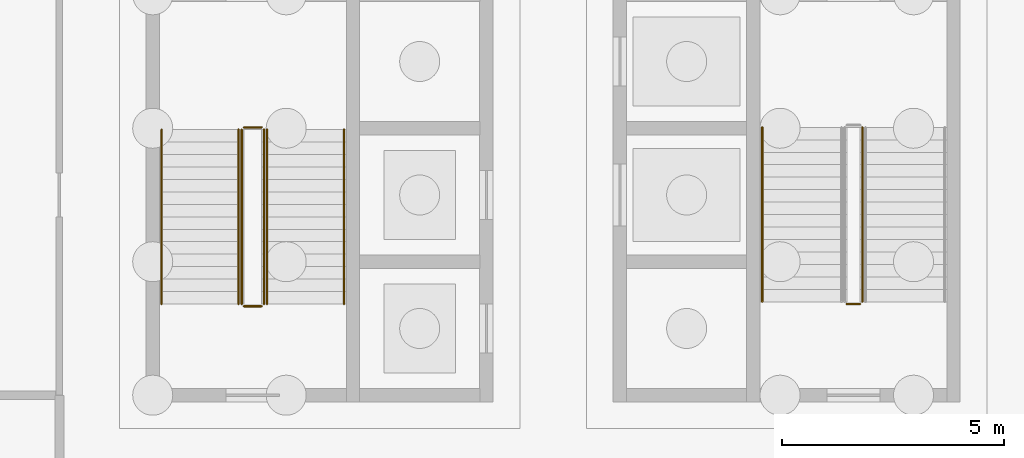
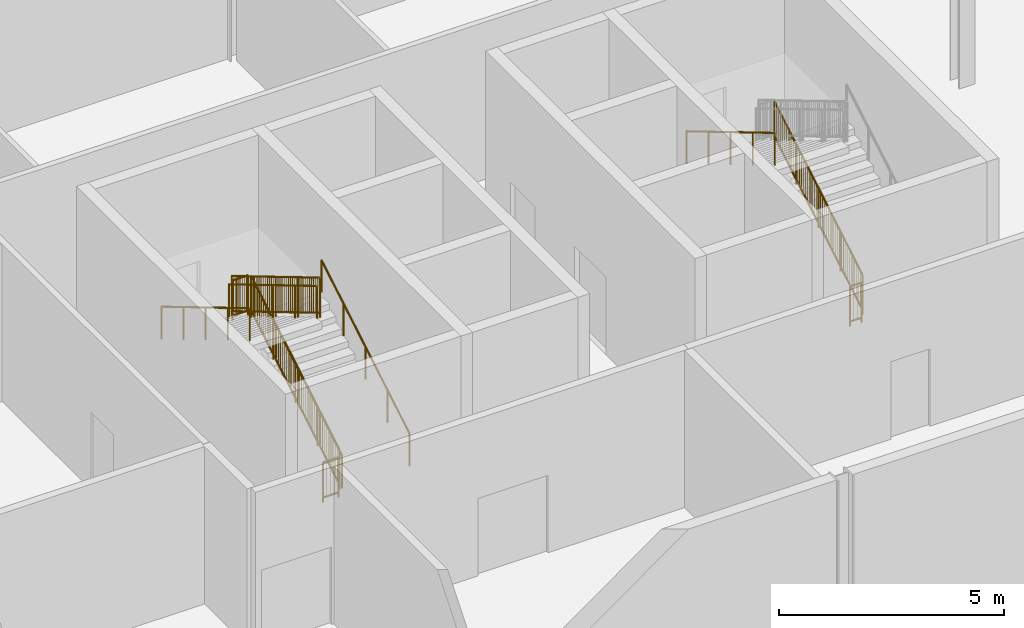
# One storey, part 21 of 25: 11 railings.
"""IFC4 building model written with IfcOpenShell, lengths in metres."""

from ifc_helpers import new_model, si_unit, direction, frame, origin, origin_2d, place, context, subcontext, project, spatial, circle, extrude, material, type_object, element, save


model = new_model("IFC4")

# Units and contexts
model_context = context("Model", 3, precision=1e-05, world=origin(), true_north=direction((0.0, 1.0)))
body_context = subcontext(model_context, "Body", "Model", "MODEL_VIEW")
ifc_project = project(units=[si_unit("LENGTHUNIT", "METRE"), si_unit("AREAUNIT", "SQUARE_METRE"), si_unit("VOLUMEUNIT", "CUBIC_METRE"), si_unit("PLANEANGLEUNIT", "RADIAN"), si_unit("MASSUNIT", "GRAM", prefix="KILO")], contexts=[model_context])

# Site, building, storey
site_placement = place(None, origin())
site = spatial("IfcSite", under=ifc_project, at=site_placement, CompositionType="ELEMENT")
building_placement = place(site_placement, origin())
building = spatial("IfcBuilding", under=site, at=building_placement, Name="Hortulan Conservatory and Botanical Research Centre", CompositionType="ELEMENT")
storey_placement = place(building_placement, frame((0.0, 0.0, -5.0)))
storey = spatial("IfcBuildingStorey", under=building, at=storey_placement, Name="B1", CompositionType="ELEMENT", Elevation=-5.0)

# Railings
ifc_material_1 = material(Name="Steel balustrade, bronze-charcoal paint", Category="steel")
railing_type_1 = type_object("IfcRailingType", Name="Stair Guard 1100", PredefinedType="GUARDRAIL", material=ifc_material_1)
railing_1_placement = place(storey_placement, frame((11.5, 11.050048828125, 0.166748046875)))
element("IfcRailing", 1, at=railing_1_placement, inside=storey, type_object=railing_type_1, Name="Guard T1 B1 stair 1", PredefinedType="GUARDRAIL", context=body_context, shape_type="SweptSolid", body=[
    extrude(circle(Radius=0.02392578125, at=origin_2d()), frame((0.0, 0.0, 1.076171875), z_axis=(0.0, 0.859296244711, 0.511478214419), x_axis=(-1.0, 0.0, 0.0)), (0.0, 0.0, 1.0), 4.561767578125),
    extrude(circle(Radius=0.02392578125, at=origin_2d()), frame((0.0, 0.0, 0.1240234375), z_axis=(0.0, 0.859296244711, 0.511478214419), x_axis=(-1.0, 0.0, 0.0)), (0.0, 0.0, 1.0), 4.561767578125),
    extrude(circle(Radius=0.008056640625, at=origin_2d()), frame((0.0, 0.09326171875, 0.203857421875)), (0.0, 0.0, 1.0), 0.90380859375),
    extrude(circle(Radius=0.008056640625, at=origin_2d()), frame((0.0, 0.186767578125, 0.25927734375)), (0.0, 0.0, 1.0), 0.90380859375),
    extrude(circle(Radius=0.008056640625, at=origin_2d()), frame((0.0, 0.280029296875, 0.31494140625)), (0.0, 0.0, 1.0), 0.90380859375),
    extrude(circle(Radius=0.008056640625, at=origin_2d()), frame((0.0, 0.373291015625, 0.370361328125)), (0.0, 0.0, 1.0), 0.90380859375),
    extrude(circle(Radius=0.008056640625, at=origin_2d()), frame((0.0, 0.466552734375, 0.426025390625)), (0.0, 0.0, 1.0), 0.90380859375),
    extrude(circle(Radius=0.008056640625, at=origin_2d()), frame((0.0, 0.56005859375, 0.4814453125)), (0.0, 0.0, 1.0), 0.90380859375),
    extrude(circle(Radius=0.008056640625, at=origin_2d()), frame((0.0, 0.6533203125, 0.537109375)), (0.0, 0.0, 1.0), 0.90380859375),
    extrude(circle(Radius=0.008056640625, at=origin_2d()), frame((0.0, 0.74658203125, 0.592529296875)), (0.0, 0.0, 1.0), 0.90380859375),
    extrude(circle(Radius=0.008056640625, at=origin_2d()), frame((0.0, 0.840087890625, 0.648193359375)), (0.0, 0.0, 1.0), 0.90380859375),
    extrude(circle(Radius=0.008056640625, at=origin_2d()), frame((0.0, 0.933349609375, 0.70361328125)), (0.0, 0.0, 1.0), 0.90380859375),
    extrude(circle(Radius=0.008056640625, at=origin_2d()), frame((0.0, 1.026611328125, 0.75927734375)), (0.0, 0.0, 1.0), 0.90380859375),
    extrude(circle(Radius=0.008056640625, at=origin_2d()), frame((0.0, 1.119873046875, 0.81494140625)), (0.0, 0.0, 1.0), 0.90380859375),
    extrude(circle(Radius=0.008056640625, at=origin_2d()), frame((0.0, 1.21337890625, 0.870361328125)), (0.0, 0.0, 1.0), 0.90380859375),
    extrude(circle(Radius=0.008056640625, at=origin_2d()), frame((0.0, 1.306640625, 0.926025390625)), (0.0, 0.0, 1.0), 0.90380859375),
    extrude(circle(Radius=0.008056640625, at=origin_2d()), frame((0.0, 1.39990234375, 0.9814453125)), (0.0, 0.0, 1.0), 0.90380859375),
    extrude(circle(Radius=0.008056640625, at=origin_2d()), frame((0.0, 1.493408203125, 1.037109375)), (0.0, 0.0, 1.0), 0.90380859375),
    extrude(circle(Radius=0.008056640625, at=origin_2d()), frame((0.0, 1.586669921875, 1.092529296875)), (0.0, 0.0, 1.0), 0.90380859375),
    extrude(circle(Radius=0.008056640625, at=origin_2d()), frame((0.0, 1.679931640625, 1.148193359375)), (0.0, 0.0, 1.0), 0.90380859375),
    extrude(circle(Radius=0.008056640625, at=origin_2d()), frame((0.0, 1.773193359375, 1.20361328125)), (0.0, 0.0, 1.0), 0.90380859375),
    extrude(circle(Radius=0.008056640625, at=origin_2d()), frame((0.0, 1.86669921875, 1.25927734375)), (0.0, 0.0, 1.0), 0.90380859375),
    extrude(circle(Radius=0.008056640625, at=origin_2d()), frame((0.0, 1.9599609375, 1.31494140625)), (0.0, 0.0, 1.0), 0.90380859375),
    extrude(circle(Radius=0.008056640625, at=origin_2d()), frame((0.0, 2.05322265625, 1.370361328125)), (0.0, 0.0, 1.0), 0.90380859375),
    extrude(circle(Radius=0.008056640625, at=origin_2d()), frame((0.0, 2.146728515625, 1.426025390625)), (0.0, 0.0, 1.0), 0.90380859375),
    extrude(circle(Radius=0.008056640625, at=origin_2d()), frame((0.0, 2.239990234375, 1.4814453125)), (0.0, 0.0, 1.0), 0.90380859375),
    extrude(circle(Radius=0.008056640625, at=origin_2d()), frame((0.0, 2.333251953125, 1.537109375)), (0.0, 0.0, 1.0), 0.90380859375),
    extrude(circle(Radius=0.008056640625, at=origin_2d()), frame((0.0, 2.426513671875, 1.592529296875)), (0.0, 0.0, 1.0), 0.90380859375),
    extrude(circle(Radius=0.008056640625, at=origin_2d()), frame((0.0, 2.52001953125, 1.648193359375)), (0.0, 0.0, 1.0), 0.90380859375),
    extrude(circle(Radius=0.008056640625, at=origin_2d()), frame((0.0, 2.61328125, 1.70361328125)), (0.0, 0.0, 1.0), 0.90380859375),
    extrude(circle(Radius=0.008056640625, at=origin_2d()), frame((0.0, 2.70654296875, 1.75927734375)), (0.0, 0.0, 1.0), 0.90380859375),
    extrude(circle(Radius=0.008056640625, at=origin_2d()), frame((0.0, 2.800048828125, 1.814697265625)), (0.0, 0.0, 1.0), 0.90380859375),
    extrude(circle(Radius=0.008056640625, at=origin_2d()), frame((0.0, 2.893310546875, 1.870361328125)), (0.0, 0.0, 1.0), 0.90380859375),
    extrude(circle(Radius=0.008056640625, at=origin_2d()), frame((0.0, 2.986572265625, 1.926025390625)), (0.0, 0.0, 1.0), 0.90380859375),
    extrude(circle(Radius=0.008056640625, at=origin_2d()), frame((0.0, 3.079833984375, 1.9814453125)), (0.0, 0.0, 1.0), 0.90380859375),
    extrude(circle(Radius=0.008056640625, at=origin_2d()), frame((0.0, 3.17333984375, 2.037109375)), (0.0, 0.0, 1.0), 0.90380859375),
    extrude(circle(Radius=0.008056640625, at=origin_2d()), frame((0.0, 3.2666015625, 2.092529296875)), (0.0, 0.0, 1.0), 0.90380859375),
    extrude(circle(Radius=0.008056640625, at=origin_2d()), frame((0.0, 3.35986328125, 2.148193359375)), (0.0, 0.0, 1.0), 0.90380859375),
    extrude(circle(Radius=0.008056640625, at=origin_2d()), frame((0.0, 3.453369140625, 2.20361328125)), (0.0, 0.0, 1.0), 0.90380859375),
    extrude(circle(Radius=0.008056640625, at=origin_2d()), frame((0.0, 3.546630859375, 2.25927734375)), (0.0, 0.0, 1.0), 0.90380859375),
    extrude(circle(Radius=0.008056640625, at=origin_2d()), frame((0.0, 3.639892578125, 2.314697265625)), (0.0, 0.0, 1.0), 0.90380859375),
    extrude(circle(Radius=0.008056640625, at=origin_2d()), frame((0.0, 3.733154296875, 2.370361328125)), (0.0, 0.0, 1.0), 0.90380859375),
    extrude(circle(Radius=0.008056640625, at=origin_2d()), frame((0.0, 3.82666015625, 2.42578125)), (0.0, 0.0, 1.0), 0.90380859375),
    extrude(circle(Radius=0.02099609375, at=origin_2d()), origin(), (0.0, 0.0, 1.0), 1.052001953125),
    extrude(circle(Radius=0.02099609375, at=origin_2d()), frame((0.0, 0.97998046875, 0.583251953125)), (0.0, 0.0, 1.0), 1.052001953125),
    extrude(circle(Radius=0.02099609375, at=origin_2d()), frame((0.0, 1.9599609375, 1.16650390625)), (0.0, 0.0, 1.0), 1.052001953125),
    extrude(circle(Radius=0.02099609375, at=origin_2d()), frame((0.0, 2.93994140625, 1.75)), (0.0, 0.0, 1.0), 1.052001953125),
    extrude(circle(Radius=0.02099609375, at=origin_2d()), frame((0.0, 3.919921875, 2.333251953125)), (0.0, 0.0, 1.0), 1.052001953125),
])
railing_2_placement = place(storey_placement, frame((11.449951171875, 15.02001953125, 2.5)))
element("IfcRailing", 2, at=railing_2_placement, inside=storey, type_object=railing_type_1, Name="Guard T1 B1 stair 2", PredefinedType="GUARDRAIL", context=body_context, shape_type="SweptSolid", body=[
    extrude(circle(Radius=0.02392578125, at=origin_2d()), frame((0.0, 0.0, 1.076171875), z_axis=(-1.0, 0.0, 0.0), x_axis=(0.0, -1.0, 0.0)), (0.0, 0.0, 1.0), 0.39990234375),
    extrude(circle(Radius=0.02392578125, at=origin_2d()), frame((0.0, 0.0, 0.1240234375), z_axis=(-1.0, 0.0, 0.0), x_axis=(0.0, -1.0, 0.0)), (0.0, 0.0, 1.0), 0.39990234375),
    extrude(circle(Radius=0.008056640625, at=origin_2d()), frame((-0.10009765625, 0.0, 0.148193359375)), (0.0, 0.0, 1.0), 0.90380859375),
    extrude(circle(Radius=0.008056640625, at=origin_2d()), frame((-0.199951171875, 0.0, 0.148193359375)), (0.0, 0.0, 1.0), 0.90380859375),
    extrude(circle(Radius=0.008056640625, at=origin_2d()), frame((-0.2998046875, 0.0, 0.148193359375)), (0.0, 0.0, 1.0), 0.90380859375),
    extrude(circle(Radius=0.02099609375, at=origin_2d()), origin(), (0.0, 0.0, 1.0), 1.052001953125),
    extrude(circle(Radius=0.02099609375, at=origin_2d()), frame((-0.39990234375, 0.0, 0.0)), (0.0, 0.0, 1.0), 1.052001953125),
])
railing_3_placement = place(storey_placement, frame((11.0, 14.969970703125, 2.666748046875)))
element("IfcRailing", 3, at=railing_3_placement, inside=storey, type_object=railing_type_1, Name="Guard T1 B1 stair 3", PredefinedType="GUARDRAIL", context=body_context, shape_type="SweptSolid", body=[
    extrude(circle(Radius=0.02392578125, at=origin_2d()), frame((0.0, 0.0, 1.076171875), z_axis=(0.0, -0.859296244711, 0.511478214419), x_axis=(1.0, 0.0, 0.0)), (0.0, 0.0, 1.0), 4.561767578125),
    extrude(circle(Radius=0.02392578125, at=origin_2d()), frame((0.0, 0.0, 0.1240234375), z_axis=(0.0, -0.859296244711, 0.511478214419), x_axis=(1.0, 0.0, 0.0)), (0.0, 0.0, 1.0), 4.561767578125),
    extrude(circle(Radius=0.008056640625, at=origin_2d()), frame((0.0, -0.09326171875, 0.203857421875)), (0.0, 0.0, 1.0), 0.90380859375),
    extrude(circle(Radius=0.008056640625, at=origin_2d()), frame((0.0, -0.186767578125, 0.25927734375)), (0.0, 0.0, 1.0), 0.90380859375),
    extrude(circle(Radius=0.008056640625, at=origin_2d()), frame((0.0, -0.280029296875, 0.31494140625)), (0.0, 0.0, 1.0), 0.90380859375),
    extrude(circle(Radius=0.008056640625, at=origin_2d()), frame((0.0, -0.373291015625, 0.370361328125)), (0.0, 0.0, 1.0), 0.90380859375),
    extrude(circle(Radius=0.008056640625, at=origin_2d()), frame((0.0, -0.466552734375, 0.426025390625)), (0.0, 0.0, 1.0), 0.90380859375),
    extrude(circle(Radius=0.008056640625, at=origin_2d()), frame((0.0, -0.56005859375, 0.4814453125)), (0.0, 0.0, 1.0), 0.90380859375),
    extrude(circle(Radius=0.008056640625, at=origin_2d()), frame((0.0, -0.6533203125, 0.537109375)), (0.0, 0.0, 1.0), 0.90380859375),
    extrude(circle(Radius=0.008056640625, at=origin_2d()), frame((0.0, -0.74658203125, 0.592529296875)), (0.0, 0.0, 1.0), 0.90380859375),
    extrude(circle(Radius=0.008056640625, at=origin_2d()), frame((0.0, -0.840087890625, 0.648193359375)), (0.0, 0.0, 1.0), 0.90380859375),
    extrude(circle(Radius=0.008056640625, at=origin_2d()), frame((0.0, -0.933349609375, 0.70361328125)), (0.0, 0.0, 1.0), 0.90380859375),
    extrude(circle(Radius=0.008056640625, at=origin_2d()), frame((0.0, -1.026611328125, 0.75927734375)), (0.0, 0.0, 1.0), 0.90380859375),
    extrude(circle(Radius=0.008056640625, at=origin_2d()), frame((0.0, -1.119873046875, 0.81494140625)), (0.0, 0.0, 1.0), 0.90380859375),
    extrude(circle(Radius=0.008056640625, at=origin_2d()), frame((0.0, -1.21337890625, 0.870361328125)), (0.0, 0.0, 1.0), 0.90380859375),
    extrude(circle(Radius=0.008056640625, at=origin_2d()), frame((0.0, -1.306640625, 0.926025390625)), (0.0, 0.0, 1.0), 0.90380859375),
    extrude(circle(Radius=0.008056640625, at=origin_2d()), frame((0.0, -1.39990234375, 0.9814453125)), (0.0, 0.0, 1.0), 0.90380859375),
    extrude(circle(Radius=0.008056640625, at=origin_2d()), frame((0.0, -1.493408203125, 1.037109375)), (0.0, 0.0, 1.0), 0.90380859375),
    extrude(circle(Radius=0.008056640625, at=origin_2d()), frame((0.0, -1.586669921875, 1.092529296875)), (0.0, 0.0, 1.0), 0.90380859375),
    extrude(circle(Radius=0.008056640625, at=origin_2d()), frame((0.0, -1.679931640625, 1.148193359375)), (0.0, 0.0, 1.0), 0.90380859375),
    extrude(circle(Radius=0.008056640625, at=origin_2d()), frame((0.0, -1.773193359375, 1.20361328125)), (0.0, 0.0, 1.0), 0.90380859375),
    extrude(circle(Radius=0.008056640625, at=origin_2d()), frame((0.0, -1.86669921875, 1.25927734375)), (0.0, 0.0, 1.0), 0.90380859375),
    extrude(circle(Radius=0.008056640625, at=origin_2d()), frame((0.0, -1.9599609375, 1.31494140625)), (0.0, 0.0, 1.0), 0.90380859375),
    extrude(circle(Radius=0.008056640625, at=origin_2d()), frame((0.0, -2.05322265625, 1.370361328125)), (0.0, 0.0, 1.0), 0.90380859375),
    extrude(circle(Radius=0.008056640625, at=origin_2d()), frame((0.0, -2.146728515625, 1.426025390625)), (0.0, 0.0, 1.0), 0.90380859375),
    extrude(circle(Radius=0.008056640625, at=origin_2d()), frame((0.0, -2.239990234375, 1.4814453125)), (0.0, 0.0, 1.0), 0.90380859375),
    extrude(circle(Radius=0.008056640625, at=origin_2d()), frame((0.0, -2.333251953125, 1.537109375)), (0.0, 0.0, 1.0), 0.90380859375),
    extrude(circle(Radius=0.008056640625, at=origin_2d()), frame((0.0, -2.426513671875, 1.592529296875)), (0.0, 0.0, 1.0), 0.90380859375),
    extrude(circle(Radius=0.008056640625, at=origin_2d()), frame((0.0, -2.52001953125, 1.648193359375)), (0.0, 0.0, 1.0), 0.90380859375),
    extrude(circle(Radius=0.008056640625, at=origin_2d()), frame((0.0, -2.61328125, 1.70361328125)), (0.0, 0.0, 1.0), 0.90380859375),
    extrude(circle(Radius=0.008056640625, at=origin_2d()), frame((0.0, -2.70654296875, 1.75927734375)), (0.0, 0.0, 1.0), 0.90380859375),
    extrude(circle(Radius=0.008056640625, at=origin_2d()), frame((0.0, -2.800048828125, 1.814697265625)), (0.0, 0.0, 1.0), 0.90380859375),
    extrude(circle(Radius=0.008056640625, at=origin_2d()), frame((0.0, -2.893310546875, 1.870361328125)), (0.0, 0.0, 1.0), 0.90380859375),
    extrude(circle(Radius=0.008056640625, at=origin_2d()), frame((0.0, -2.986572265625, 1.926025390625)), (0.0, 0.0, 1.0), 0.90380859375),
    extrude(circle(Radius=0.008056640625, at=origin_2d()), frame((0.0, -3.079833984375, 1.9814453125)), (0.0, 0.0, 1.0), 0.90380859375),
    extrude(circle(Radius=0.008056640625, at=origin_2d()), frame((0.0, -3.17333984375, 2.037109375)), (0.0, 0.0, 1.0), 0.90380859375),
    extrude(circle(Radius=0.008056640625, at=origin_2d()), frame((0.0, -3.2666015625, 2.092529296875)), (0.0, 0.0, 1.0), 0.90380859375),
    extrude(circle(Radius=0.008056640625, at=origin_2d()), frame((0.0, -3.35986328125, 2.148193359375)), (0.0, 0.0, 1.0), 0.90380859375),
    extrude(circle(Radius=0.008056640625, at=origin_2d()), frame((0.0, -3.453369140625, 2.20361328125)), (0.0, 0.0, 1.0), 0.90380859375),
    extrude(circle(Radius=0.008056640625, at=origin_2d()), frame((0.0, -3.546630859375, 2.25927734375)), (0.0, 0.0, 1.0), 0.90380859375),
    extrude(circle(Radius=0.008056640625, at=origin_2d()), frame((0.0, -3.639892578125, 2.314697265625)), (0.0, 0.0, 1.0), 0.90380859375),
    extrude(circle(Radius=0.008056640625, at=origin_2d()), frame((0.0, -3.733154296875, 2.370361328125)), (0.0, 0.0, 1.0), 0.90380859375),
    extrude(circle(Radius=0.008056640625, at=origin_2d()), frame((0.0, -3.82666015625, 2.42578125)), (0.0, 0.0, 1.0), 0.90380859375),
    extrude(circle(Radius=0.02099609375, at=origin_2d()), origin(), (0.0, 0.0, 1.0), 1.052001953125),
    extrude(circle(Radius=0.02099609375, at=origin_2d()), frame((0.0, -0.97998046875, 0.583251953125)), (0.0, 0.0, 1.0), 1.052001953125),
    extrude(circle(Radius=0.02099609375, at=origin_2d()), frame((0.0, -1.9599609375, 1.16650390625)), (0.0, 0.0, 1.0), 1.052001953125),
    extrude(circle(Radius=0.02099609375, at=origin_2d()), frame((0.0, -2.93994140625, 1.75)), (0.0, 0.0, 1.0), 1.052001953125),
    extrude(circle(Radius=0.02099609375, at=origin_2d()), frame((0.0, -3.919921875, 2.333251953125)), (0.0, 0.0, 1.0), 1.052001953125),
])
railing_4_placement = place(storey_placement, frame((11.449951171875, 11.0, 0.0)))
element("IfcRailing", 4, at=railing_4_placement, inside=storey, type_object=railing_type_1, Name="Guard T1 B1 stair 4", PredefinedType="GUARDRAIL", context=body_context, shape_type="SweptSolid", body=[
    extrude(circle(Radius=0.02392578125, at=origin_2d()), frame((0.0, 0.0, 1.076171875), z_axis=(-1.0, 0.0, 0.0), x_axis=(0.0, -1.0, 0.0)), (0.0, 0.0, 1.0), 0.39990234375),
    extrude(circle(Radius=0.02392578125, at=origin_2d()), frame((0.0, 0.0, 0.1240234375), z_axis=(-1.0, 0.0, 0.0), x_axis=(0.0, -1.0, 0.0)), (0.0, 0.0, 1.0), 0.39990234375),
    extrude(circle(Radius=0.008056640625, at=origin_2d()), frame((-0.10009765625, 0.0, 0.148193359375)), (0.0, 0.0, 1.0), 0.90380859375),
    extrude(circle(Radius=0.008056640625, at=origin_2d()), frame((-0.199951171875, 0.0, 0.148193359375)), (0.0, 0.0, 1.0), 0.90380859375),
    extrude(circle(Radius=0.008056640625, at=origin_2d()), frame((-0.2998046875, 0.0, 0.148193359375)), (0.0, 0.0, 1.0), 0.90380859375),
    extrude(circle(Radius=0.02099609375, at=origin_2d()), origin(), (0.0, 0.0, 1.0), 1.052001953125),
    extrude(circle(Radius=0.02099609375, at=origin_2d()), frame((-0.39990234375, 0.0, 0.0)), (0.0, 0.0, 1.0), 1.052001953125),
])
railing_5_placement = place(storey_placement, frame((24.949951171875, 11.10009765625, 0.166748046875)))
element("IfcRailing", 5, at=railing_5_placement, inside=storey, type_object=railing_type_1, Name="Guard T2 B1 stair 1", PredefinedType="GUARDRAIL", context=body_context, shape_type="SweptSolid", body=[
    extrude(circle(Radius=0.02392578125, at=origin_2d()), frame((0.0, 0.0, 1.076171875), z_axis=(0.0, 0.859296244711, 0.511478214419), x_axis=(-1.0, 0.0, 0.0)), (0.0, 0.0, 1.0), 4.561767578125),
    extrude(circle(Radius=0.02392578125, at=origin_2d()), frame((0.0, 0.0, 0.1240234375), z_axis=(0.0, 0.859296244711, 0.511478214419), x_axis=(-1.0, 0.0, 0.0)), (0.0, 0.0, 1.0), 4.561767578125),
    extrude(circle(Radius=0.008056640625, at=origin_2d()), frame((0.0, 0.09326171875, 0.203857421875)), (0.0, 0.0, 1.0), 0.90380859375),
    extrude(circle(Radius=0.008056640625, at=origin_2d()), frame((0.0, 0.186767578125, 0.25927734375)), (0.0, 0.0, 1.0), 0.90380859375),
    extrude(circle(Radius=0.008056640625, at=origin_2d()), frame((0.0, 0.280029296875, 0.31494140625)), (0.0, 0.0, 1.0), 0.90380859375),
    extrude(circle(Radius=0.008056640625, at=origin_2d()), frame((0.0, 0.373291015625, 0.370361328125)), (0.0, 0.0, 1.0), 0.90380859375),
    extrude(circle(Radius=0.008056640625, at=origin_2d()), frame((0.0, 0.466552734375, 0.426025390625)), (0.0, 0.0, 1.0), 0.90380859375),
    extrude(circle(Radius=0.008056640625, at=origin_2d()), frame((0.0, 0.56005859375, 0.4814453125)), (0.0, 0.0, 1.0), 0.90380859375),
    extrude(circle(Radius=0.008056640625, at=origin_2d()), frame((0.0, 0.6533203125, 0.537109375)), (0.0, 0.0, 1.0), 0.90380859375),
    extrude(circle(Radius=0.008056640625, at=origin_2d()), frame((0.0, 0.74658203125, 0.592529296875)), (0.0, 0.0, 1.0), 0.90380859375),
    extrude(circle(Radius=0.008056640625, at=origin_2d()), frame((0.0, 0.840087890625, 0.648193359375)), (0.0, 0.0, 1.0), 0.90380859375),
    extrude(circle(Radius=0.008056640625, at=origin_2d()), frame((0.0, 0.933349609375, 0.70361328125)), (0.0, 0.0, 1.0), 0.90380859375),
    extrude(circle(Radius=0.008056640625, at=origin_2d()), frame((0.0, 1.026611328125, 0.75927734375)), (0.0, 0.0, 1.0), 0.90380859375),
    extrude(circle(Radius=0.008056640625, at=origin_2d()), frame((0.0, 1.119873046875, 0.81494140625)), (0.0, 0.0, 1.0), 0.90380859375),
    extrude(circle(Radius=0.008056640625, at=origin_2d()), frame((0.0, 1.21337890625, 0.870361328125)), (0.0, 0.0, 1.0), 0.90380859375),
    extrude(circle(Radius=0.008056640625, at=origin_2d()), frame((0.0, 1.306640625, 0.926025390625)), (0.0, 0.0, 1.0), 0.90380859375),
    extrude(circle(Radius=0.008056640625, at=origin_2d()), frame((0.0, 1.39990234375, 0.9814453125)), (0.0, 0.0, 1.0), 0.90380859375),
    extrude(circle(Radius=0.008056640625, at=origin_2d()), frame((0.0, 1.493408203125, 1.037109375)), (0.0, 0.0, 1.0), 0.90380859375),
    extrude(circle(Radius=0.008056640625, at=origin_2d()), frame((0.0, 1.586669921875, 1.092529296875)), (0.0, 0.0, 1.0), 0.90380859375),
    extrude(circle(Radius=0.008056640625, at=origin_2d()), frame((0.0, 1.679931640625, 1.148193359375)), (0.0, 0.0, 1.0), 0.90380859375),
    extrude(circle(Radius=0.008056640625, at=origin_2d()), frame((0.0, 1.773193359375, 1.20361328125)), (0.0, 0.0, 1.0), 0.90380859375),
    extrude(circle(Radius=0.008056640625, at=origin_2d()), frame((0.0, 1.86669921875, 1.25927734375)), (0.0, 0.0, 1.0), 0.90380859375),
    extrude(circle(Radius=0.008056640625, at=origin_2d()), frame((0.0, 1.9599609375, 1.31494140625)), (0.0, 0.0, 1.0), 0.90380859375),
    extrude(circle(Radius=0.008056640625, at=origin_2d()), frame((0.0, 2.05322265625, 1.370361328125)), (0.0, 0.0, 1.0), 0.90380859375),
    extrude(circle(Radius=0.008056640625, at=origin_2d()), frame((0.0, 2.146728515625, 1.426025390625)), (0.0, 0.0, 1.0), 0.90380859375),
    extrude(circle(Radius=0.008056640625, at=origin_2d()), frame((0.0, 2.239990234375, 1.4814453125)), (0.0, 0.0, 1.0), 0.90380859375),
    extrude(circle(Radius=0.008056640625, at=origin_2d()), frame((0.0, 2.333251953125, 1.537109375)), (0.0, 0.0, 1.0), 0.90380859375),
    extrude(circle(Radius=0.008056640625, at=origin_2d()), frame((0.0, 2.426513671875, 1.592529296875)), (0.0, 0.0, 1.0), 0.90380859375),
    extrude(circle(Radius=0.008056640625, at=origin_2d()), frame((0.0, 2.52001953125, 1.648193359375)), (0.0, 0.0, 1.0), 0.90380859375),
    extrude(circle(Radius=0.008056640625, at=origin_2d()), frame((0.0, 2.61328125, 1.70361328125)), (0.0, 0.0, 1.0), 0.90380859375),
    extrude(circle(Radius=0.008056640625, at=origin_2d()), frame((0.0, 2.70654296875, 1.75927734375)), (0.0, 0.0, 1.0), 0.90380859375),
    extrude(circle(Radius=0.008056640625, at=origin_2d()), frame((0.0, 2.800048828125, 1.814697265625)), (0.0, 0.0, 1.0), 0.90380859375),
    extrude(circle(Radius=0.008056640625, at=origin_2d()), frame((0.0, 2.893310546875, 1.870361328125)), (0.0, 0.0, 1.0), 0.90380859375),
    extrude(circle(Radius=0.008056640625, at=origin_2d()), frame((0.0, 2.986572265625, 1.926025390625)), (0.0, 0.0, 1.0), 0.90380859375),
    extrude(circle(Radius=0.008056640625, at=origin_2d()), frame((0.0, 3.079833984375, 1.9814453125)), (0.0, 0.0, 1.0), 0.90380859375),
    extrude(circle(Radius=0.008056640625, at=origin_2d()), frame((0.0, 3.17333984375, 2.037109375)), (0.0, 0.0, 1.0), 0.90380859375),
    extrude(circle(Radius=0.008056640625, at=origin_2d()), frame((0.0, 3.2666015625, 2.092529296875)), (0.0, 0.0, 1.0), 0.90380859375),
    extrude(circle(Radius=0.008056640625, at=origin_2d()), frame((0.0, 3.35986328125, 2.148193359375)), (0.0, 0.0, 1.0), 0.90380859375),
    extrude(circle(Radius=0.008056640625, at=origin_2d()), frame((0.0, 3.453369140625, 2.20361328125)), (0.0, 0.0, 1.0), 0.90380859375),
    extrude(circle(Radius=0.008056640625, at=origin_2d()), frame((0.0, 3.546630859375, 2.25927734375)), (0.0, 0.0, 1.0), 0.90380859375),
    extrude(circle(Radius=0.008056640625, at=origin_2d()), frame((0.0, 3.639892578125, 2.314697265625)), (0.0, 0.0, 1.0), 0.90380859375),
    extrude(circle(Radius=0.008056640625, at=origin_2d()), frame((0.0, 3.733154296875, 2.370361328125)), (0.0, 0.0, 1.0), 0.90380859375),
    extrude(circle(Radius=0.008056640625, at=origin_2d()), frame((0.0, 3.82666015625, 2.42578125)), (0.0, 0.0, 1.0), 0.90380859375),
    extrude(circle(Radius=0.02099609375, at=origin_2d()), origin(), (0.0, 0.0, 1.0), 1.052001953125),
    extrude(circle(Radius=0.02099609375, at=origin_2d()), frame((0.0, 0.97998046875, 0.583251953125)), (0.0, 0.0, 1.0), 1.052001953125),
    extrude(circle(Radius=0.02099609375, at=origin_2d()), frame((0.0, 1.9599609375, 1.16650390625)), (0.0, 0.0, 1.0), 1.052001953125),
    extrude(circle(Radius=0.02099609375, at=origin_2d()), frame((0.0, 2.93994140625, 1.75)), (0.0, 0.0, 1.0), 1.052001953125),
    extrude(circle(Radius=0.02099609375, at=origin_2d()), frame((0.0, 3.919921875, 2.333251953125)), (0.0, 0.0, 1.0), 1.052001953125),
])
railing_6_placement = place(storey_placement, frame((24.89990234375, 11.050048828125, 0.0)))
element("IfcRailing", 6, at=railing_6_placement, inside=storey, type_object=railing_type_1, Name="Guard T2 B1 stair 4", PredefinedType="GUARDRAIL", context=body_context, shape_type="SweptSolid", body=[
    extrude(circle(Radius=0.02392578125, at=origin_2d()), frame((0.0, 0.0, 1.076171875), z_axis=(-1.0, 0.0, 0.0), x_axis=(0.0, -1.0, 0.0)), (0.0, 0.0, 1.0), 0.2998046875),
    extrude(circle(Radius=0.02392578125, at=origin_2d()), frame((0.0, 0.0, 0.1240234375), z_axis=(-1.0, 0.0, 0.0), x_axis=(0.0, -1.0, 0.0)), (0.0, 0.0, 1.0), 0.2998046875),
    extrude(circle(Radius=0.008056640625, at=origin_2d()), frame((-0.099853515625, 0.0, 0.148193359375)), (0.0, 0.0, 1.0), 0.90380859375),
    extrude(circle(Radius=0.008056640625, at=origin_2d()), frame((-0.199951171875, 0.0, 0.148193359375)), (0.0, 0.0, 1.0), 0.90380859375),
    extrude(circle(Radius=0.02099609375, at=origin_2d()), origin(), (0.0, 0.0, 1.0), 1.052001953125),
    extrude(circle(Radius=0.02099609375, at=origin_2d()), frame((-0.2998046875, 0.0, 0.0)), (0.0, 0.0, 1.0), 1.052001953125),
])
ifc_material_2 = material(Name="Bronze handrail, polished", Category="metal")
railing_type_2 = type_object("IfcRailingType", Name="Stair Handrail 900", PredefinedType="HANDRAIL", material=ifc_material_2)
railing_7_placement = place(storey_placement, frame((13.300048828125, 11.050048828125, 0.166748046875)))
element("IfcRailing", 7, at=railing_7_placement, inside=storey, type_object=railing_type_2, Name="Handrail T1 B1 stair 1", PredefinedType="HANDRAIL", context=body_context, shape_type="SweptSolid", body=[
    extrude(circle(Radius=0.02392578125, at=origin_2d()), frame((0.0, 0.0, 0.8759765625), z_axis=(0.0, 0.859296244711, 0.511478214419), x_axis=(-1.0, 0.0, 0.0)), (0.0, 0.0, 1.0), 4.561767578125),
    extrude(circle(Radius=0.02099609375, at=origin_2d()), origin(), (0.0, 0.0, 1.0), 0.851806640625),
    extrude(circle(Radius=0.02099609375, at=origin_2d()), frame((0.0, 0.97998046875, 0.583251953125)), (0.0, 0.0, 1.0), 0.851806640625),
    extrude(circle(Radius=0.02099609375, at=origin_2d()), frame((0.0, 1.9599609375, 1.16650390625)), (0.0, 0.0, 1.0), 0.851806640625),
    extrude(circle(Radius=0.02099609375, at=origin_2d()), frame((0.0, 2.93994140625, 1.75)), (0.0, 0.0, 1.0), 0.851806640625),
    extrude(circle(Radius=0.02099609375, at=origin_2d()), frame((0.0, 3.919921875, 2.333251953125)), (0.0, 0.0, 1.0), 0.851806640625),
])
railing_8_placement = place(storey_placement, frame((9.199951171875, 14.969970703125, 2.666748046875)))
element("IfcRailing", 8, at=railing_8_placement, inside=storey, type_object=railing_type_2, Name="Handrail T1 B1 stair 2", PredefinedType="HANDRAIL", context=body_context, shape_type="SweptSolid", body=[
    extrude(circle(Radius=0.02392578125, at=origin_2d()), frame((0.0, 0.0, 0.8759765625), z_axis=(0.0, -0.859296244711, 0.511478214419), x_axis=(1.0, 0.0, 0.0)), (0.0, 0.0, 1.0), 4.561767578125),
    extrude(circle(Radius=0.02099609375, at=origin_2d()), origin(), (0.0, 0.0, 1.0), 0.851806640625),
    extrude(circle(Radius=0.02099609375, at=origin_2d()), frame((0.0, -0.97998046875, 0.583251953125)), (0.0, 0.0, 1.0), 0.851806640625),
    extrude(circle(Radius=0.02099609375, at=origin_2d()), frame((0.0, -1.9599609375, 1.16650390625)), (0.0, 0.0, 1.0), 0.851806640625),
    extrude(circle(Radius=0.02099609375, at=origin_2d()), frame((0.0, -2.93994140625, 1.75)), (0.0, 0.0, 1.0), 0.851806640625),
    extrude(circle(Radius=0.02099609375, at=origin_2d()), frame((0.0, -3.919921875, 2.333251953125)), (0.0, 0.0, 1.0), 0.851806640625),
])
railing_9_placement = place(storey_placement, frame((11.570068359375, 11.050048828125, 0.166748046875)))
element("IfcRailing", 9, at=railing_9_placement, inside=storey, type_object=railing_type_2, Name="Handrail T1 B1 stair 3", PredefinedType="HANDRAIL", context=body_context, shape_type="SweptSolid", body=[
    extrude(circle(Radius=0.02392578125, at=origin_2d()), frame((0.0, 0.0, 0.8759765625), z_axis=(0.0, 0.859296244711, 0.511478214419), x_axis=(-1.0, 0.0, 0.0)), (0.0, 0.0, 1.0), 4.561767578125),
    extrude(circle(Radius=0.02099609375, at=origin_2d()), origin(), (0.0, 0.0, 1.0), 0.851806640625),
    extrude(circle(Radius=0.02099609375, at=origin_2d()), frame((0.0, 0.97998046875, 0.583251953125)), (0.0, 0.0, 1.0), 0.851806640625),
    extrude(circle(Radius=0.02099609375, at=origin_2d()), frame((0.0, 1.9599609375, 1.16650390625)), (0.0, 0.0, 1.0), 0.851806640625),
    extrude(circle(Radius=0.02099609375, at=origin_2d()), frame((0.0, 2.93994140625, 1.75)), (0.0, 0.0, 1.0), 0.851806640625),
    extrude(circle(Radius=0.02099609375, at=origin_2d()), frame((0.0, 3.919921875, 2.333251953125)), (0.0, 0.0, 1.0), 0.851806640625),
])
for number, where, name in (
    (10, (10.929931640625, 14.969970703125, 2.666748046875), "Handrail T1 B1 stair 4"),
    (11, (22.699951171875, 15.02001953125, 2.666748046875), "Handrail T2 B1 stair 2"),
):
    element("IfcRailing", number, at=place(storey_placement, frame(where)), inside=storey, type_object=railing_type_2, Name=name, PredefinedType="HANDRAIL", context=body_context, shape_type="SweptSolid", body=[
        extrude(circle(Radius=0.02392578125, at=origin_2d()), frame((0.0, 0.0, 0.8759765625), z_axis=(0.0, -0.859296244711, 0.511478214419), x_axis=(1.0, 0.0, 0.0)), (0.0, 0.0, 1.0), 4.561767578125),
        extrude(circle(Radius=0.02099609375, at=origin_2d()), origin(), (0.0, 0.0, 1.0), 0.851806640625),
        extrude(circle(Radius=0.02099609375, at=origin_2d()), frame((0.0, -0.97998046875, 0.583251953125)), (0.0, 0.0, 1.0), 0.851806640625),
        extrude(circle(Radius=0.02099609375, at=origin_2d()), frame((0.0, -1.9599609375, 1.16650390625)), (0.0, 0.0, 1.0), 0.851806640625),
        extrude(circle(Radius=0.02099609375, at=origin_2d()), frame((0.0, -2.93994140625, 1.75)), (0.0, 0.0, 1.0), 0.851806640625),
        extrude(circle(Radius=0.02099609375, at=origin_2d()), frame((0.0, -3.919921875, 2.333251953125)), (0.0, 0.0, 1.0), 0.851806640625),
    ])

save(model, "model.ifc")
